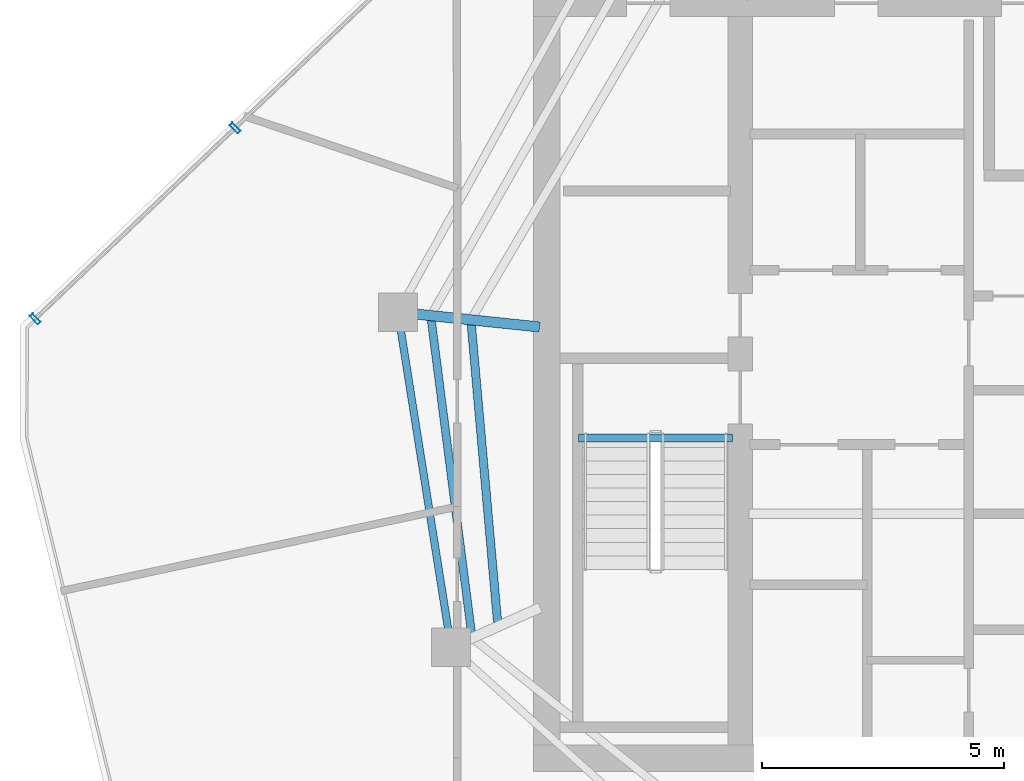
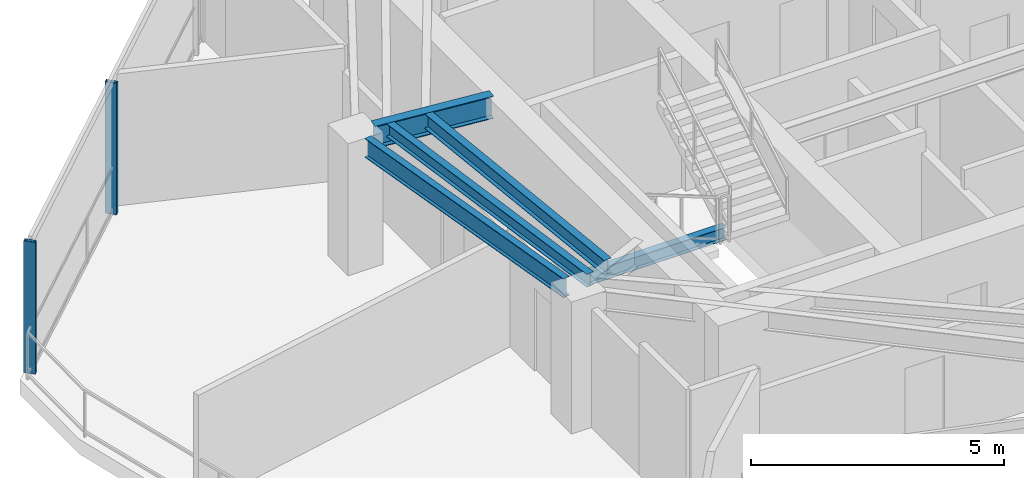
# One storey, part 5 of 19: 5 beams, 2 members, 1 element without a shape of its own.
"""IFC4 building model written with IfcOpenShell, lengths in metres."""

from ifc_helpers import new_model, si_unit, direction, frame, origin, origin_2d, place, context, subcontext, project, spatial, hollow_rectangle, i_section, extrude, material, layer, layer_set, material_profile, profile_set, type_object, element, aggregate, save


model = new_model("IFC4")

# Units and contexts
model_context = context("Model", 3, precision=1e-05, world=origin(), true_north=direction((0.0, 1.0)))
body_context = subcontext(model_context, "Body", "Model", "MODEL_VIEW")
ifc_project = project(units=[si_unit("LENGTHUNIT", "METRE"), si_unit("AREAUNIT", "SQUARE_METRE"), si_unit("VOLUMEUNIT", "CUBIC_METRE"), si_unit("PLANEANGLEUNIT", "RADIAN"), si_unit("MASSUNIT", "GRAM", prefix="KILO")], contexts=[model_context])

# Site, building, storey
site_placement = place(None, origin())
site = spatial("IfcSite", under=ifc_project, at=site_placement, CompositionType="ELEMENT")
building_placement = place(site_placement, origin())
building = spatial("IfcBuilding", under=site, at=building_placement, Name="Qarnah Convention Tower", CompositionType="ELEMENT")
storey_placement = place(building_placement, frame((0.0, 0.0, 231.89990234375)))
storey = spatial("IfcBuildingStorey", under=building, at=storey_placement, Name="L62", CompositionType="ELEMENT", Elevation=231.89990234375)

# Beams
ifc_material_1 = material(Name="Structural steel S355JR", Category="steel")
ifc_material_profile_1 = material_profile(ifc_material_1, i_section(OverallWidth=0.166015625, OverallDepth=0.31201171875, WebThickness=0.007080078125, FlangeThickness=0.010986328125, at=origin_2d()), Name="W310X45")
ifc_profile_set_1 = profile_set([ifc_material_profile_1], Name="Structural steel S355JR")
beam_type_1 = type_object("IfcBeamType", Name="BM-JST-W310", PredefinedType="JOIST", material=ifc_profile_set_1)
beam_1_placement = place(storey_placement, frame((27.4599609375, 25.217041015625, -0.156005859375), z_axis=(1.0, 0.0, 0.0), x_axis=(0.0, 1.0, 0.0)))
element("IfcBeam", 1, at=beam_1_placement, inside=storey, type_object=beam_type_1, Name="L62 stair landing trimmer beam BM-L62-ST1-TRM", PredefinedType="BEAM", context=body_context, shape_type="SweptSolid", body=[
    extrude(i_section(OverallWidth=0.166015625, OverallDepth=0.31201171875, WebThickness=0.007080078125, FlangeThickness=0.010986328125, at=origin_2d()), origin(), (0.0, 0.0, 1.0), 3.179931640625),
])
beam_2_placement = place(storey_placement, frame((24.412109375, 27.656005859375, 3.024169921875), z_axis=(0.127426220111, -0.991848052087, 0.0), x_axis=(0.991848052087, 0.127426220111, 0.0)))
element("IfcBeam", 2, at=beam_2_placement, inside=storey, type_object=beam_type_1, Name="L62 joist BM-L62-SJST-05", PredefinedType="JOIST", context=body_context, shape_type="SweptSolid", body=[
    extrude(i_section(OverallWidth=0.166015625, OverallDepth=0.31201171875, WebThickness=0.007080078125, FlangeThickness=0.010986328125, at=origin_2d()), origin(), (0.0, 0.0, 1.0), 6.537109375),
])
ifc_material_profile_2 = material_profile(ifc_material_1, i_section(OverallWidth=0.172119140625, OverallDepth=0.35595703125, WebThickness=0.007080078125, FlangeThickness=0.011962890625, at=origin_2d()), Name="W360X51")
ifc_profile_set_2 = profile_set([ifc_material_profile_2], Name="Structural steel S355JR")
beam_type_2 = type_object("IfcBeamType", Name="BM-JST-W360", PredefinedType="JOIST", material=ifc_profile_set_2)
beam_3_placement = place(storey_placement, frame((25.239013671875, 27.568115234375, 3.002197265625), z_axis=(0.08799985905, -0.996120487093, 0.0), x_axis=(0.996120487093, 0.08799985905, 0.0)))
element("IfcBeam", 3, at=beam_3_placement, inside=storey, type_object=beam_type_2, Name="L62 joist BM-L62-IJST-05", PredefinedType="JOIST", context=body_context, shape_type="SweptSolid", body=[
    extrude(i_section(OverallWidth=0.172119140625, OverallDepth=0.35595703125, WebThickness=0.007080078125, FlangeThickness=0.011962890625, at=origin_2d()), origin(), (0.0, 0.0, 1.0), 6.18115234375),
])
ifc_material_profile_3 = material_profile(ifc_material_1, i_section(OverallWidth=0.2119140625, OverallDepth=0.5400390625, WebThickness=0.011962890625, FlangeThickness=0.01904296875, at=origin_2d()), Name="W530X109")
ifc_profile_set_3 = profile_set([ifc_material_profile_3], Name="Structural steel S355JR")
beam_type_3 = type_object("IfcBeamType", Name="BM-RAD-W530A", PredefinedType="BEAM", material=ifc_profile_set_3)
beam_4_placement = place(storey_placement, frame((26.65087890625, 27.509033203125, 2.91015625), z_axis=(-0.994564280912, 0.104124402207, 0.0), x_axis=(-0.104124402207, -0.994564280912, 0.0)))
element("IfcBeam", 4, at=beam_4_placement, inside=storey, type_object=beam_type_3, Name="L62 beam BM-L62-RAD-05", PredefinedType="BEAM", context=body_context, shape_type="SweptSolid", body=[
    extrude(i_section(OverallWidth=0.2119140625, OverallDepth=0.5400390625, WebThickness=0.011962890625, FlangeThickness=0.01904296875, at=origin_2d()), origin(), (0.0, 0.0, 1.0), 2.562744140625),
])
ifc_material_profile_4 = material_profile(ifc_material_1, i_section(OverallWidth=0.154052734375, OverallDepth=0.4599609375, WebThickness=0.009033203125, FlangeThickness=0.014892578125, at=origin_2d()), Name="W460X68")
ifc_profile_set_4 = profile_set([ifc_material_profile_4], Name="Structural steel S355JR")
beam_type_4 = type_object("IfcBeamType", Name="BM-SPN-W460B", PredefinedType="SPANDREL", material=ifc_profile_set_4)
beam_5_placement = place(storey_placement, frame((23.784912109375, 27.430908203125, 2.9501953125), z_axis=(0.156423110156, -0.987690138965, 0.0), x_axis=(0.987690138965, 0.156423110156, 0.0)))
element("IfcBeam", 5, at=beam_5_placement, inside=storey, type_object=beam_type_4, Name="L62 spandrel BM-L62-SPN-05", PredefinedType="SPANDREL", context=body_context, shape_type="SweptSolid", body=[
    extrude(i_section(OverallWidth=0.154052734375, OverallDepth=0.4599609375, WebThickness=0.009033203125, FlangeThickness=0.014892578125, at=origin_2d()), origin(), (0.0, 0.0, 1.0), 6.233642578125),
])

# Curtain wall, members
ifc_material_2 = material(Name="Tempered Low-E dark glass", Category="glass")
ifc_layer = layer(ifc_material_2, 0.176025390625)
ifc_layer_set = layer_set([ifc_layer], Name="Tempered Low-E dark glass")
curtain_wall_type = type_object("IfcCurtainWallType", Name="CWS-05", PredefinedType="NOTDEFINED", material=ifc_layer_set)
curtain_wall_placement = place(storey_placement, origin())
curtain_wall = element("IfcCurtainWall", 6, at=curtain_wall_placement, inside=storey, type_object=curtain_wall_type, Name="L62 unitised curtain wall CW-L62-F1", PredefinedType="NOTDEFINED")
ifc_material_3 = material(Name="Black anodised aluminium", Category="aluminium")
ifc_material_profile_5 = material_profile(ifc_material_3, hollow_rectangle(XDim=0.080078125, YDim=0.239990234375, WallThickness=0.0048828125, at=origin_2d()), Name="MUL-80X240")
ifc_profile_set_5 = profile_set([ifc_material_profile_5], Name="Black anodised aluminium")
member_type = type_object("IfcMemberType", Name="MUL-T5", PredefinedType="MULLION", material=ifc_profile_set_5)
member_1_placement = place(storey_placement, frame((16.22509765625, 27.677978515625, 0.0), z_axis=(0.0, 0.0, 1.0), x_axis=(0.723193439015, 0.6906455312, 0.0)))
member_1 = element("IfcMember", 7, at=member_1_placement, type_object=member_type, Name="CW-L62-F1 mullion 1", PredefinedType="MULLION", context=body_context, shape_type="SweptSolid", body=[
    extrude(hollow_rectangle(XDim=0.080078125, YDim=0.239990234375, WallThickness=0.0048828125, at=origin_2d()), origin(), (0.0, 0.0, 1.0), 3.18017578125),
])
member_2_placement = place(storey_placement, frame((20.35791015625, 31.624755859375, 0.0), z_axis=(0.0, 0.0, 1.0), x_axis=(0.723193439015, 0.6906455312, 0.0)))
member_2 = element("IfcMember", 8, at=member_2_placement, type_object=member_type, Name="CW-L62-F1 mullion 2", PredefinedType="MULLION", context=body_context, shape_type="SweptSolid", body=[
    extrude(hollow_rectangle(XDim=0.080078125, YDim=0.239990234375, WallThickness=0.0048828125, at=origin_2d()), origin(), (0.0, 0.0, 1.0), 3.18017578125),
])
aggregate(curtain_wall, [member_1, member_2])

save(model, "model.ifc")
